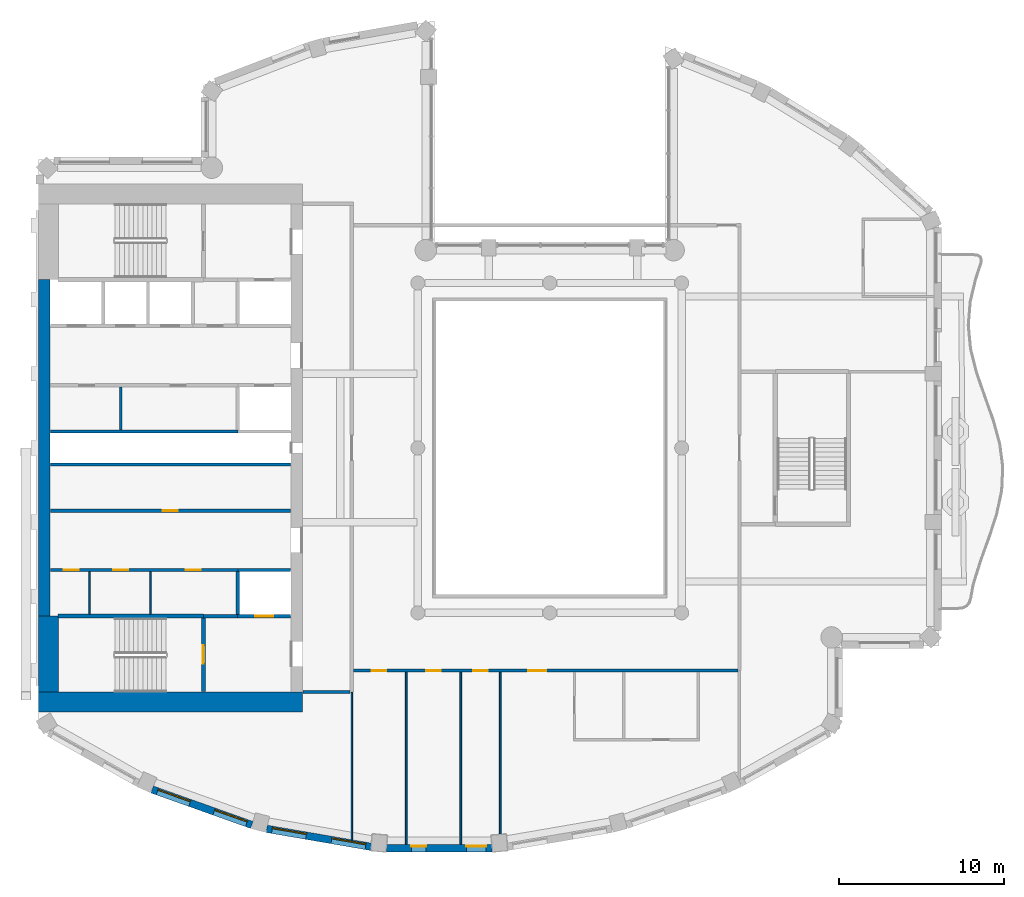
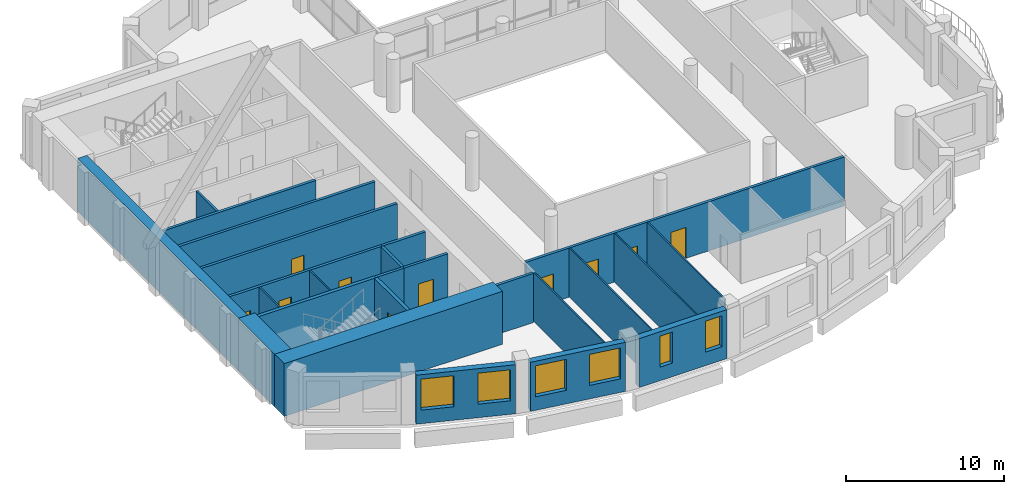
# One storey, part 4 of 15: 25 walls, 10 doors, 6 windows, 16 openings.
"""IFC4 building model written with IfcOpenShell, lengths in metres."""

from ifc_helpers import new_model, si_unit, direction, frame, frame_2d, origin, place, context, subcontext, project, spatial, rectangle, extrude, material, layer, layer_set, type_object, element, fill, save


model = new_model("IFC4")

# Units and contexts
model_context = context("Model", 3, precision=1e-05, world=origin(), true_north=direction((0.0, 1.0)))
body_context = subcontext(model_context, "Body", "Model", "MODEL_VIEW")
ifc_project = project(units=[si_unit("LENGTHUNIT", "METRE"), si_unit("AREAUNIT", "SQUARE_METRE"), si_unit("VOLUMEUNIT", "CUBIC_METRE"), si_unit("PLANEANGLEUNIT", "RADIAN"), si_unit("MASSUNIT", "GRAM", prefix="KILO")], contexts=[model_context])

# Site, building, storey
site_placement = place(None, origin())
site = spatial("IfcSite", under=ifc_project, at=site_placement, CompositionType="ELEMENT")
building_placement = place(site_placement, origin())
building = spatial("IfcBuilding", under=site, at=building_placement, Name="Cypress Arch Tower", CompositionType="ELEMENT")
storey_placement = place(building_placement, frame((0.0, 0.0, 259.800048828125)))
storey = spatial("IfcBuildingStorey", under=building, at=storey_placement, Name="L58", CompositionType="ELEMENT", Elevation=259.800048828125)

# Wall, openings, windows
ifc_material_1 = material(Name="Brick (red buff blend)", Category="masonry")
ifc_layer_1 = layer(ifc_material_1, 0.449951171875)
ifc_layer_set_1 = layer_set([ifc_layer_1], Name="Brick pier and spandrel wall BW450")
wall_type_1 = type_object("IfcWallType", Name="Brick pier and spandrel wall BW450", PredefinedType="SOLIDWALL", material=ifc_layer_set_1)
wall_1_placement = place(storey_placement, frame((-23.10498046875, -20.70947265625, 0.0), z_axis=(0.0, 0.0, 1.0), x_axis=(0.942104058931, -0.335320655711, 0.0)))
wall_1 = element("IfcWall", 1, at=wall_1_placement, inside=storey, type_object=wall_type_1, Name="Brick wall L58 C09.0", PredefinedType="SOLIDWALL", context=body_context, shape_type="SweptSolid", body=[
    extrude(rectangle(XDim=6.411376953125, YDim=0.449951171875, at=frame_2d((3.20556640625, 0.0))), origin(), (0.0, 0.0, 1.0), 3.800048828125),
])
opening_1_placement = place(wall_1_placement, frame((0.3271484375, 0.0, 1.050048828125)))
opening_1 = element("IfcOpeningElement", 2, at=opening_1_placement, cuts=wall_1, Name="Opening W210O", PredefinedType="OPENING", context=body_context, shape_type="SweptSolid", body=[
    extrude(rectangle(XDim=2.10009765625, YDim=2.39990234375, at=frame_2d((1.050048828125, 1.199951171875))), frame((0.0, 0.23486328125, 0.0), z_axis=(0.0, -1.0, 0.0), x_axis=(1.0, 0.0, 0.0)), (0.0, 0.0, 1.0), 0.469970703125),
])
opening_2_placement = place(wall_1_placement, frame((3.984619140625, 0.0, 1.050048828125)))
opening_2 = element("IfcOpeningElement", 3, at=opening_2_placement, cuts=wall_1, Name="Opening W210O", PredefinedType="OPENING", context=body_context, shape_type="SweptSolid", body=[
    extrude(rectangle(XDim=2.10009765625, YDim=2.39990234375, at=frame_2d((1.050048828125, 1.199951171875))), frame((0.0, 0.23486328125, 0.0), z_axis=(0.0, -1.0, 0.0), x_axis=(1.0, 0.0, 0.0)), (0.0, 0.0, 1.0), 0.469970703125),
])
ifc_material_2 = material(Name="Anodised aluminium, bronze finish, clear low-emissivity double glazing", Category="aluminium")
window_type_1 = type_object("IfcWindowType", Name="Window Office 2100x2400", PartitioningType="SINGLE_PANEL", PredefinedType="WINDOW", material=ifc_material_2)
window_1_placement = place(opening_1_placement, origin())
window_1 = element("IfcWindow", 4, at=window_1_placement, inside=storey, type_object=window_type_1, Name="Window L58 C09.0.1", OverallHeight=2.39990234375, OverallWidth=2.10009765625, PartitioningType="SINGLE_PANEL", PredefinedType="WINDOW", context=body_context, shape_type="SweptSolid", body=[
    extrude(rectangle(XDim=2.10009765625, YDim=2.39990234375, at=frame_2d((1.050048828125, 1.199951171875))), frame((0.0, 0.135009765625, 0.0), z_axis=(0.0, -1.0, 0.0), x_axis=(1.0, 0.0, 0.0)), (0.0, 0.0, 1.0), 0.06005859375),
])
fill(opening_1, window_1)
window_2_placement = place(opening_2_placement, origin())
window_2 = element("IfcWindow", 5, at=window_2_placement, inside=storey, type_object=window_type_1, Name="Window L58 C09.0.2", OverallHeight=2.39990234375, OverallWidth=2.10009765625, PartitioningType="SINGLE_PANEL", PredefinedType="WINDOW", context=body_context, shape_type="SweptSolid", body=[
    extrude(rectangle(XDim=2.10009765625, YDim=2.39990234375, at=frame_2d((1.050048828125, 1.199951171875))), frame((0.0, 0.135009765625, 0.0), z_axis=(0.0, -1.0, 0.0), x_axis=(1.0, 0.0, 0.0)), (0.0, 0.0, 1.0), 0.06005859375),
])
fill(opening_2, window_2)

wall_2_placement = place(storey_placement, frame((-16.15673828125, -23.09716796875, 0.0), z_axis=(0.0, 0.0, 1.0), x_axis=(0.985502073964, -0.169663379113, 0.0)))
wall_2 = element("IfcWall", 6, at=wall_2_placement, inside=storey, type_object=wall_type_1, Name="Brick wall L58 C10.0", PredefinedType="SOLIDWALL", context=body_context, shape_type="SweptSolid", body=[
    extrude(rectangle(XDim=6.412109375, YDim=0.449951171875, at=frame_2d((3.2060546875, 0.0))), origin(), (0.0, 0.0, 1.0), 3.800048828125),
])
opening_3_placement = place(wall_2_placement, frame((0.3271484375, 0.0, 1.050048828125)))
opening_3 = element("IfcOpeningElement", 7, at=opening_3_placement, cuts=wall_2, Name="Opening W210O", PredefinedType="OPENING", context=body_context, shape_type="SweptSolid", body=[
    extrude(rectangle(XDim=2.10009765625, YDim=2.39990234375, at=frame_2d((1.050048828125, 1.199951171875))), frame((0.0, 0.23486328125, 0.0), z_axis=(0.0, -1.0, 0.0), x_axis=(1.0, 0.0, 0.0)), (0.0, 0.0, 1.0), 0.469970703125),
])
opening_4_placement = place(wall_2_placement, frame((3.98486328125, 0.0, 1.050048828125)))
opening_4 = element("IfcOpeningElement", 8, at=opening_4_placement, cuts=wall_2, Name="Opening W210O", PredefinedType="OPENING", context=body_context, shape_type="SweptSolid", body=[
    extrude(rectangle(XDim=2.10009765625, YDim=2.39990234375, at=frame_2d((1.050048828125, 1.199951171875))), frame((0.0, 0.23486328125, 0.0), z_axis=(0.0, -1.0, 0.0), x_axis=(1.0, 0.0, 0.0)), (0.0, 0.0, 1.0), 0.469970703125),
])
window_3_placement = place(opening_3_placement, origin())
window_3 = element("IfcWindow", 9, at=window_3_placement, inside=storey, type_object=window_type_1, Name="Window L58 C10.0.1", OverallHeight=2.39990234375, OverallWidth=2.10009765625, PartitioningType="SINGLE_PANEL", PredefinedType="WINDOW", context=body_context, shape_type="SweptSolid", body=[
    extrude(rectangle(XDim=2.10009765625, YDim=2.39990234375, at=frame_2d((1.050048828125, 1.199951171875))), frame((0.0, 0.135009765625, 0.0), z_axis=(0.0, -1.0, 0.0), x_axis=(1.0, 0.0, 0.0)), (0.0, 0.0, 1.0), 0.06005859375),
])
fill(opening_3, window_3)
window_4_placement = place(opening_4_placement, origin())
window_4 = element("IfcWindow", 10, at=window_4_placement, inside=storey, type_object=window_type_1, Name="Window L58 C10.0.2", OverallHeight=2.39990234375, OverallWidth=2.10009765625, PartitioningType="SINGLE_PANEL", PredefinedType="WINDOW", context=body_context, shape_type="SweptSolid", body=[
    extrude(rectangle(XDim=2.10009765625, YDim=2.39990234375, at=frame_2d((1.050048828125, 1.199951171875))), frame((0.0, 0.135009765625, 0.0), z_axis=(0.0, -1.0, 0.0), x_axis=(1.0, 0.0, 0.0)), (0.0, 0.0, 1.0), 0.06005859375),
])
fill(opening_4, window_4)

wall_3_placement = place(storey_placement, frame((-8.90283203125, -24.264892578125, 0.0), z_axis=(0.0, 0.0, 1.0), x_axis=(1.0, 0.0, 0.0)))
wall_3 = element("IfcWall", 11, at=wall_3_placement, inside=storey, type_object=wall_type_1, Name="Brick wall L58 C11.0", PredefinedType="SOLIDWALL", context=body_context, shape_type="SweptSolid", body=[
    extrude(rectangle(XDim=6.405517578125, YDim=0.449951171875, at=frame_2d((3.20263671875, 0.0))), origin(), (0.0, 0.0, 1.0), 3.800048828125),
])
opening_5_placement = place(wall_3_placement, frame((1.51416015625, 0.0, 1.050048828125)))
opening_5 = element("IfcOpeningElement", 12, at=opening_5_placement, cuts=wall_3, Name="Opening W090O", PredefinedType="OPENING", context=body_context, shape_type="SweptSolid", body=[
    extrude(rectangle(XDim=0.89990234375, YDim=2.39990234375, at=frame_2d((0.449951171875, 1.199951171875))), frame((0.0, 0.23486328125, 0.0), z_axis=(0.0, -1.0, 0.0), x_axis=(1.0, 0.0, 0.0)), (0.0, 0.0, 1.0), 0.469970703125),
])
opening_6_placement = place(wall_3_placement, frame((4.84130859375, 0.0, 1.050048828125)))
opening_6 = element("IfcOpeningElement", 13, at=opening_6_placement, cuts=wall_3, Name="Opening W120O", PredefinedType="OPENING", context=body_context, shape_type="SweptSolid", body=[
    extrude(rectangle(XDim=1.199951171875, YDim=2.39990234375, at=frame_2d((0.60009765625, 1.199951171875))), frame((0.0, 0.23486328125, 0.0), z_axis=(0.0, -1.0, 0.0), x_axis=(1.0, 0.0, 0.0)), (0.0, 0.0, 1.0), 0.469970703125),
])
ifc_material_3 = material(Name="Anodised aluminium, bronze finish, clear low-emissivity double glazing", Category="aluminium")
window_type_2 = type_object("IfcWindowType", Name="Window Office 1200x2400", PartitioningType="SINGLE_PANEL", PredefinedType="WINDOW", material=ifc_material_3)
window_5_placement = place(opening_6_placement, origin())
window_5 = element("IfcWindow", 14, at=window_5_placement, inside=storey, type_object=window_type_2, Name="Window L58 C11.0.2", OverallHeight=2.39990234375, OverallWidth=1.199951171875, PartitioningType="SINGLE_PANEL", PredefinedType="WINDOW", context=body_context, shape_type="SweptSolid", body=[
    extrude(rectangle(XDim=1.199951171875, YDim=2.39990234375, at=frame_2d((0.60009765625, 1.199951171875))), frame((0.0, 0.135009765625, 0.0), z_axis=(0.0, -1.0, 0.0), x_axis=(1.0, 0.0, 0.0)), (0.0, 0.0, 1.0), 0.06005859375),
])
fill(opening_6, window_5)
ifc_material_4 = material(Name="Anodised aluminium, bronze finish, clear low-emissivity double glazing", Category="aluminium")
window_type_3 = type_object("IfcWindowType", Name="Window Office 900x2400", PartitioningType="SINGLE_PANEL", PredefinedType="WINDOW", material=ifc_material_4)
window_6_placement = place(opening_5_placement, origin())
window_6 = element("IfcWindow", 15, at=window_6_placement, inside=storey, type_object=window_type_3, Name="Window L58 C11.0.1", OverallHeight=2.39990234375, OverallWidth=0.89990234375, PartitioningType="SINGLE_PANEL", PredefinedType="WINDOW", context=body_context, shape_type="SweptSolid", body=[
    extrude(rectangle(XDim=0.89990234375, YDim=2.39990234375, at=frame_2d((0.449951171875, 1.199951171875))), frame((0.0, 0.135009765625, 0.0), z_axis=(0.0, -1.0, 0.0), x_axis=(1.0, 0.0, 0.0)), (0.0, 0.0, 1.0), 0.06005859375),
])
fill(opening_5, window_6)

# Walls
ifc_material_5 = material(Name="Concrete C60/75", Category="concrete")
ifc_layer_2 = layer(ifc_material_5, 1.199951171875)
ifc_layer_set_2 = layer_set([ifc_layer_2], Name="Core wall CW1200 C60/75")
wall_type_2 = type_object("IfcWallType", Name="Core wall CW1200 C60/75", PredefinedType="SHEAR", material=ifc_layer_set_2)
wall_4_placement = place(storey_placement, frame((-30.0, -15.39990234375, 0.0), z_axis=(0.0, 0.0, 1.0), x_axis=(1.0, 0.0, 0.0)))
element("IfcWall", 16, at=wall_4_placement, inside=storey, type_object=wall_type_2, Name="Core wall", PredefinedType="SHEAR", context=body_context, shape_type="SweptSolid", body=[
    extrude(rectangle(XDim=16.0, YDim=1.199951171875, at=frame_2d((8.0, 0.0))), origin(), (0.0, 0.0, 1.0), 4.099853515625),
])
wall_5_placement = place(storey_placement, frame((-29.39990234375, -14.800048828125, 0.0), z_axis=(0.0, 0.0, 1.0), x_axis=(0.0, 1.0, 0.0)))
element("IfcWall", 17, at=wall_5_placement, inside=storey, type_object=wall_type_2, Name="Core wall", PredefinedType="SHEAR", context=body_context, shape_type="SweptSolid", body=[
    extrude(rectangle(XDim=4.60009765625, YDim=1.199951171875, at=frame_2d((2.300048828125, 0.0))), origin(), (0.0, 0.0, 1.0), 4.099853515625),
])
ifc_material_6 = material(Name="Concrete C60/75", Category="concrete")
ifc_layer_3 = layer(ifc_material_6, 0.699951171875)
ifc_layer_set_3 = layer_set([ifc_layer_3], Name="Core wall CW700 C60/75")
wall_type_3 = type_object("IfcWallType", Name="Core wall CW700 C60/75", PredefinedType="SHEAR", material=ifc_layer_set_3)
wall_6_placement = place(storey_placement, frame((-29.64990234375, -10.199951171875, 0.0), z_axis=(0.0, 0.0, 1.0), x_axis=(0.0, 1.0, 0.0)))
element("IfcWall", 18, at=wall_6_placement, inside=storey, type_object=wall_type_3, Name="Core wall", PredefinedType="SHEAR", context=body_context, shape_type="SweptSolid", body=[
    extrude(rectangle(XDim=20.39990234375, YDim=0.699951171875, at=frame_2d((10.199951171875, 0.0))), origin(), (0.0, 0.0, 1.0), 4.099853515625),
])

# Wall, openings, doors
ifc_material_7 = material(Name="Concrete blockwork, plastered, rated", Category="masonry")
ifc_layer_4 = layer(ifc_material_7, 0.199951171875)
ifc_layer_set_4 = layer_set([ifc_layer_4], Name="Corridor wall FW200")
wall_type_4 = type_object("IfcWallType", Name="Corridor wall FW200", PredefinedType="PARTITIONING", material=ifc_layer_set_4)
wall_7_placement = place(storey_placement, frame((-29.27001953125, -7.39990234375, 0.0), z_axis=(0.0, 0.0, 1.0), x_axis=(1.0, 0.0, 0.0)))
wall_7 = element("IfcWall", 19, at=wall_7_placement, inside=storey, type_object=wall_type_4, Name="Corridor wall", PredefinedType="PARTITIONING", context=body_context, shape_type="SweptSolid", body=[
    extrude(rectangle(XDim=11.3701171875, YDim=0.199951171875, at=frame_2d((5.68505859375, 0.0))), origin(), (0.0, 0.0, 1.0), 3.800048828125),
])
opening_7_placement = place(wall_7_placement, frame((0.800048828125, 0.0, 0.0)))
opening_7 = element("IfcOpeningElement", 20, at=opening_7_placement, cuts=wall_7, Name="Opening D05", PredefinedType="OPENING", context=body_context, shape_type="SweptSolid", body=[
    extrude(rectangle(XDim=0.89990234375, YDim=2.199951171875, at=frame_2d((0.449951171875, 1.10009765625))), frame((0.0, 0.10986328125, 0.0), z_axis=(0.0, -1.0, 0.0), x_axis=(1.0, 0.0, 0.0)), (0.0, 0.0, 1.0), 0.219970703125),
])
opening_8_placement = place(wall_7_placement, frame((3.800048828125, 0.0, 0.0)))
opening_8 = element("IfcOpeningElement", 21, at=opening_8_placement, cuts=wall_7, Name="Opening D05", PredefinedType="OPENING", context=body_context, shape_type="SweptSolid", body=[
    extrude(rectangle(XDim=0.89990234375, YDim=2.199951171875, at=frame_2d((0.449951171875, 1.10009765625))), frame((0.0, 0.10986328125, 0.0), z_axis=(0.0, -1.0, 0.0), x_axis=(1.0, 0.0, 0.0)), (0.0, 0.0, 1.0), 0.219970703125),
])
opening_9_placement = place(wall_7_placement, frame((8.199951171875, 0.0, 0.0)))
opening_9 = element("IfcOpeningElement", 22, at=opening_9_placement, cuts=wall_7, Name="Opening D05", PredefinedType="OPENING", context=body_context, shape_type="SweptSolid", body=[
    extrude(rectangle(XDim=0.89990234375, YDim=2.199951171875, at=frame_2d((0.449951171875, 1.10009765625))), frame((0.0, 0.10986328125, 0.0), z_axis=(0.0, -1.0, 0.0), x_axis=(1.0, 0.0, 0.0)), (0.0, 0.0, 1.0), 0.219970703125),
])
ifc_material_8 = material(Name="Timber flush door", Category="wood")
door_type_1 = type_object("IfcDoorType", Name="Service door D05 900x2200", OperationType="SINGLE_SWING_LEFT", PredefinedType="DOOR", material=ifc_material_8)
door_1_placement = place(opening_7_placement, origin())
door_1 = element("IfcDoor", 23, at=door_1_placement, inside=storey, type_object=door_type_1, Name="Service door", OperationType="SINGLE_SWING_LEFT", OverallHeight=2.199951171875, OverallWidth=0.89990234375, PredefinedType="DOOR", context=body_context, shape_type="SweptSolid", body=[
    extrude(rectangle(XDim=0.89990234375, YDim=2.199951171875, at=frame_2d((0.449951171875, 1.10009765625))), frame((0.0, 0.02490234375, 0.0), z_axis=(0.0, -1.0, 0.0), x_axis=(1.0, 0.0, 0.0)), (0.0, 0.0, 1.0), 0.050048828125),
])
fill(opening_7, door_1)
door_2_placement = place(opening_8_placement, origin())
door_2 = element("IfcDoor", 24, at=door_2_placement, inside=storey, type_object=door_type_1, Name="Service door", OperationType="SINGLE_SWING_LEFT", OverallHeight=2.199951171875, OverallWidth=0.89990234375, PredefinedType="DOOR", context=body_context, shape_type="SweptSolid", body=[
    extrude(rectangle(XDim=0.89990234375, YDim=2.199951171875, at=frame_2d((0.449951171875, 1.10009765625))), frame((0.0, 0.02490234375, 0.0), z_axis=(0.0, -1.0, 0.0), x_axis=(1.0, 0.0, 0.0)), (0.0, 0.0, 1.0), 0.050048828125),
])
fill(opening_8, door_2)
door_3_placement = place(opening_9_placement, origin())
door_3 = element("IfcDoor", 25, at=door_3_placement, inside=storey, type_object=door_type_1, Name="Service door", OperationType="SINGLE_SWING_RIGHT", OverallHeight=2.199951171875, OverallWidth=0.89990234375, PredefinedType="DOOR", context=body_context, shape_type="SweptSolid", body=[
    extrude(rectangle(XDim=0.89990234375, YDim=2.199951171875, at=frame_2d((0.449951171875, 1.10009765625))), frame((0.0, 0.02490234375, 0.0), z_axis=(0.0, -1.0, 0.0), x_axis=(1.0, 0.0, 0.0)), (0.0, 0.0, 1.0), 0.050048828125),
])
fill(opening_9, door_3)

# Wall, opening, door
wall_8_placement = place(storey_placement, frame((-29.27001953125, -3.800048828125, 0.0), z_axis=(0.0, 0.0, 1.0), x_axis=(1.0, 0.0, 0.0)))
wall_8 = element("IfcWall", 26, at=wall_8_placement, inside=storey, type_object=wall_type_4, Name="Corridor wall", PredefinedType="PARTITIONING", context=body_context, shape_type="SweptSolid", body=[
    extrude(rectangle(XDim=14.5400390625, YDim=0.199951171875, at=frame_2d((7.27001953125, 0.0))), origin(), (0.0, 0.0, 1.0), 3.800048828125),
])
opening_10_placement = place(wall_8_placement, frame((6.800048828125, 0.0, 0.0)))
opening_10 = element("IfcOpeningElement", 27, at=opening_10_placement, cuts=wall_8, Name="Opening D05", PredefinedType="OPENING", context=body_context, shape_type="SweptSolid", body=[
    extrude(rectangle(XDim=0.89990234375, YDim=2.199951171875, at=frame_2d((0.449951171875, 1.10009765625))), frame((0.0, 0.10986328125, 0.0), z_axis=(0.0, -1.0, 0.0), x_axis=(1.0, 0.0, 0.0)), (0.0, 0.0, 1.0), 0.219970703125),
])
door_4_placement = place(opening_10_placement, origin())
door_4 = element("IfcDoor", 28, at=door_4_placement, inside=storey, type_object=door_type_1, Name="Service door", OperationType="SINGLE_SWING_LEFT", OverallHeight=2.199951171875, OverallWidth=0.89990234375, PredefinedType="DOOR", context=body_context, shape_type="SweptSolid", body=[
    extrude(rectangle(XDim=0.89990234375, YDim=2.199951171875, at=frame_2d((0.449951171875, 1.10009765625))), frame((0.0, 0.02490234375, 0.0), z_axis=(0.0, -1.0, 0.0), x_axis=(1.0, 0.0, 0.0)), (0.0, 0.0, 1.0), 0.050048828125),
])
fill(opening_10, door_4)

# Walls
wall_9_placement = place(storey_placement, frame((-20.0, -10.199951171875, 0.0), z_axis=(0.0, 0.0, 1.0), x_axis=(1.0, 0.0, 0.0)))
element("IfcWall", 29, at=wall_9_placement, inside=storey, type_object=wall_type_4, Name="Corridor wall", PredefinedType="PARTITIONING", context=body_context, shape_type="SweptSolid", body=[
    extrude(rectangle(XDim=2.080078125, YDim=0.199951171875, at=frame_2d((1.0400390625, 0.0))), origin(), (0.0, 0.0, 1.0), 3.800048828125),
])
wall_10_placement = place(storey_placement, frame((-13.969970703125, -14.800048828125, 0.0), z_axis=(0.0, 0.0, 1.0), x_axis=(1.0, 0.0, 0.0)))
element("IfcWall", 30, at=wall_10_placement, inside=storey, type_object=wall_type_4, Name="Corridor wall", PredefinedType="PARTITIONING", context=body_context, shape_type="SweptSolid", body=[
    extrude(rectangle(XDim=2.869873046875, YDim=0.199951171875, at=frame_2d((1.43505859375, 0.0))), origin(), (0.0, 0.0, 1.0), 3.800048828125),
])

# Wall, openings, doors
wall_11_placement = place(storey_placement, frame((-10.89990234375, -13.5, 0.0), z_axis=(0.0, 0.0, 1.0), x_axis=(1.0, 0.0, 0.0)))
wall_11 = element("IfcWall", 31, at=wall_11_placement, inside=storey, type_object=wall_type_4, Name="Corridor wall", PredefinedType="PARTITIONING", context=body_context, shape_type="SweptSolid", body=[
    extrude(rectangle(XDim=23.2998046875, YDim=0.199951171875, at=frame_2d((11.64990234375, 0.0))), origin(), (0.0, 0.0, 1.0), 3.800048828125),
])
opening_11_placement = place(wall_11_placement, frame((1.10009765625, 0.0, 0.0)))
opening_11 = element("IfcOpeningElement", 32, at=opening_11_placement, cuts=wall_11, Name="Opening D03", PredefinedType="OPENING", context=body_context, shape_type="SweptSolid", body=[
    extrude(rectangle(XDim=0.89990234375, YDim=2.199951171875, at=frame_2d((0.449951171875, 1.10009765625))), frame((0.0, 0.10986328125, 0.0), z_axis=(0.0, -1.0, 0.0), x_axis=(1.0, 0.0, 0.0)), (0.0, 0.0, 1.0), 0.219970703125),
])
opening_12_placement = place(wall_11_placement, frame((4.39990234375, 0.0, 0.0)))
opening_12 = element("IfcOpeningElement", 33, at=opening_12_placement, cuts=wall_11, Name="Opening D03", PredefinedType="OPENING", context=body_context, shape_type="SweptSolid", body=[
    extrude(rectangle(XDim=0.89990234375, YDim=2.199951171875, at=frame_2d((0.449951171875, 1.10009765625))), frame((0.0, 0.10986328125, 0.0), z_axis=(0.0, -1.0, 0.0), x_axis=(1.0, 0.0, 0.0)), (0.0, 0.0, 1.0), 0.219970703125),
])
opening_13_placement = place(wall_11_placement, frame((7.25, 0.0, 0.0)))
opening_13 = element("IfcOpeningElement", 34, at=opening_13_placement, cuts=wall_11, Name="Opening D03", PredefinedType="OPENING", context=body_context, shape_type="SweptSolid", body=[
    extrude(rectangle(XDim=0.89990234375, YDim=2.199951171875, at=frame_2d((0.449951171875, 1.10009765625))), frame((0.0, 0.10986328125, 0.0), z_axis=(0.0, -1.0, 0.0), x_axis=(1.0, 0.0, 0.0)), (0.0, 0.0, 1.0), 0.219970703125),
])
opening_14_placement = place(wall_11_placement, frame((10.60009765625, 0.0, 0.0)))
opening_14 = element("IfcOpeningElement", 35, at=opening_14_placement, cuts=wall_11, Name="Opening D01", PredefinedType="OPENING", context=body_context, shape_type="SweptSolid", body=[
    extrude(rectangle(XDim=1.10009765625, YDim=2.39990234375, at=frame_2d((0.550048828125, 1.199951171875))), frame((0.0, 0.10986328125, 0.0), z_axis=(0.0, -1.0, 0.0), x_axis=(1.0, 0.0, 0.0)), (0.0, 0.0, 1.0), 0.219970703125),
])
ifc_material_9 = material(Name="Timber flush door, moisture resistant", Category="wood")
door_type_2 = type_object("IfcDoorType", Name="Bathroom door D03 900x2200", OperationType="SINGLE_SWING_LEFT", PredefinedType="DOOR", material=ifc_material_9)
door_5_placement = place(opening_11_placement, origin())
door_5 = element("IfcDoor", 36, at=door_5_placement, inside=storey, type_object=door_type_2, Name="Bathroom door", OperationType="SINGLE_SWING_RIGHT", OverallHeight=2.199951171875, OverallWidth=0.89990234375, PredefinedType="DOOR", context=body_context, shape_type="SweptSolid", body=[
    extrude(rectangle(XDim=0.89990234375, YDim=2.199951171875, at=frame_2d((0.449951171875, 1.10009765625))), frame((0.0, 0.02490234375, 0.0), z_axis=(0.0, -1.0, 0.0), x_axis=(1.0, 0.0, 0.0)), (0.0, 0.0, 1.0), 0.050048828125),
])
fill(opening_11, door_5)
door_6_placement = place(opening_12_placement, origin())
door_6 = element("IfcDoor", 37, at=door_6_placement, inside=storey, type_object=door_type_2, Name="Bathroom door", OperationType="SINGLE_SWING_RIGHT", OverallHeight=2.199951171875, OverallWidth=0.89990234375, PredefinedType="DOOR", context=body_context, shape_type="SweptSolid", body=[
    extrude(rectangle(XDim=0.89990234375, YDim=2.199951171875, at=frame_2d((0.449951171875, 1.10009765625))), frame((0.0, 0.02490234375, 0.0), z_axis=(0.0, -1.0, 0.0), x_axis=(1.0, 0.0, 0.0)), (0.0, 0.0, 1.0), 0.050048828125),
])
fill(opening_12, door_6)
door_7_placement = place(opening_13_placement, origin())
door_7 = element("IfcDoor", 38, at=door_7_placement, inside=storey, type_object=door_type_2, Name="Bathroom door", OperationType="SINGLE_SWING_RIGHT", OverallHeight=2.199951171875, OverallWidth=0.89990234375, PredefinedType="DOOR", context=body_context, shape_type="SweptSolid", body=[
    extrude(rectangle(XDim=0.89990234375, YDim=2.199951171875, at=frame_2d((0.449951171875, 1.10009765625))), frame((0.0, 0.02490234375, 0.0), z_axis=(0.0, -1.0, 0.0), x_axis=(1.0, 0.0, 0.0)), (0.0, 0.0, 1.0), 0.050048828125),
])
fill(opening_13, door_7)
ifc_material_10 = material(Name="Timber flush door, fire resisting, self-closing", Category="wood")
door_type_3 = type_object("IfcDoorType", Name="Unit entrance door D01 1100x2400", OperationType="SINGLE_SWING_LEFT", PredefinedType="DOOR", material=ifc_material_10)
door_8_placement = place(opening_14_placement, origin())
door_8 = element("IfcDoor", 39, at=door_8_placement, inside=storey, type_object=door_type_3, Name="Unit entrance door", OperationType="SINGLE_SWING_LEFT", OverallHeight=2.39990234375, OverallWidth=1.10009765625, PredefinedType="DOOR", context=body_context, shape_type="SweptSolid", body=[
    extrude(rectangle(XDim=1.10009765625, YDim=2.39990234375, at=frame_2d((0.550048828125, 1.199951171875))), frame((0.0, 0.02490234375, 0.0), z_axis=(0.0, -1.0, 0.0), x_axis=(1.0, 0.0, 0.0)), (0.0, 0.0, 1.0), 0.050048828125),
])
fill(opening_14, door_8)

# Walls
ifc_material_11 = material(Name="Blockwork, plastered both sides", Category="masonry")
ifc_layer_5 = layer(ifc_material_11, 0.14990234375)
ifc_layer_set_5 = layer_set([ifc_layer_5], Name="Partition PW150")
wall_type_5 = type_object("IfcWallType", Name="Partition PW150", PredefinedType="PARTITIONING", material=ifc_layer_set_5)
wall_12_placement = place(storey_placement, frame((-25.0, 1.10009765625, 0.0), z_axis=(0.0, 0.0, 1.0), x_axis=(0.0, 1.0, 0.0)))
element("IfcWall", 40, at=wall_12_placement, inside=storey, type_object=wall_type_5, Name="Partition", PredefinedType="PARTITIONING", context=body_context, shape_type="SweptSolid", body=[
    extrude(rectangle(XDim=2.599853515625, YDim=0.14990234375, at=frame_2d((1.2998046875, 0.0))), origin(), (0.0, 0.0, 1.0), 3.800048828125),
])
ifc_material_12 = material(Name="Reinforced blockwork, plastered, rated", Category="masonry")
ifc_layer_6 = layer(ifc_material_12, 0.199951171875)
ifc_layer_set_6 = layer_set([ifc_layer_6], Name="Plant and riser wall PL200")
wall_type_6 = type_object("IfcWallType", Name="Plant and riser wall PL200", PredefinedType="PARTITIONING", material=ifc_layer_set_6)
wall_13_placement = place(storey_placement, frame((-29.27001953125, -1.0, 0.0), z_axis=(0.0, 0.0, 1.0), x_axis=(1.0, 0.0, 0.0)))
element("IfcWall", 41, at=wall_13_placement, inside=storey, type_object=wall_type_6, Name="Plant and riser wall", PredefinedType="PARTITIONING", context=body_context, shape_type="SweptSolid", body=[
    extrude(rectangle(XDim=14.5400390625, YDim=0.199951171875, at=frame_2d((7.27001953125, 0.0))), origin(), (0.0, 0.0, 1.0), 3.800048828125),
])
wall_14_placement = place(storey_placement, frame((-29.27001953125, 1.0, 0.0), z_axis=(0.0, 0.0, 1.0), x_axis=(1.0, 0.0, 0.0)))
element("IfcWall", 42, at=wall_14_placement, inside=storey, type_object=wall_type_6, Name="Plant and riser wall", PredefinedType="PARTITIONING", context=body_context, shape_type="SweptSolid", body=[
    extrude(rectangle(XDim=11.3701171875, YDim=0.199951171875, at=frame_2d((5.68505859375, 0.0))), origin(), (0.0, 0.0, 1.0), 3.800048828125),
])
ifc_material_13 = material(Name="Concrete C50/60", Category="concrete")
ifc_layer_7 = layer(ifc_material_13, 0.199951171875)
ifc_layer_set_7 = layer_set([ifc_layer_7], Name="Shaft wall SH200")
wall_type_7 = type_object("IfcWallType", Name="Shaft wall SH200", PredefinedType="SHEAR", material=ifc_layer_set_7)
wall_15_placement = place(storey_placement, frame((-17.919921875, -10.10009765625, 0.0), z_axis=(0.0, 0.0, 1.0), x_axis=(0.0, 1.0, 0.0)))
element("IfcWall", 43, at=wall_15_placement, inside=storey, type_object=wall_type_7, Name="Shaft wall", PredefinedType="SHEAR", context=body_context, shape_type="SweptSolid", body=[
    extrude(rectangle(XDim=2.60009765625, YDim=0.199951171875, at=frame_2d((1.300048828125, 0.0))), origin(), (0.0, 0.0, 1.0), 3.800048828125),
])

# Wall, opening, door
wall_16_placement = place(storey_placement, frame((-17.919921875, -10.199951171875, 0.0), z_axis=(0.0, 0.0, 1.0), x_axis=(1.0, 0.0, 0.0)))
wall_16 = element("IfcWall", 44, at=wall_16_placement, inside=storey, type_object=wall_type_7, Name="Shaft wall", PredefinedType="SHEAR", context=body_context, shape_type="SweptSolid", body=[
    extrude(rectangle(XDim=3.18994140625, YDim=0.199951171875, at=frame_2d((1.594970703125, 0.0))), origin(), (0.0, 0.0, 1.0), 3.800048828125),
])
opening_15_placement = place(wall_16_placement, frame((1.050048828125, 0.0, 0.0)))
opening_15 = element("IfcOpeningElement", 45, at=opening_15_placement, cuts=wall_16, Name="Opening LD-FL1", PredefinedType="OPENING", context=body_context, shape_type="SweptSolid", body=[
    extrude(rectangle(XDim=1.10009765625, YDim=2.199951171875, at=frame_2d((0.550048828125, 1.10009765625))), frame((0.0, 0.10986328125, 0.0), z_axis=(0.0, -1.0, 0.0), x_axis=(1.0, 0.0, 0.0)), (0.0, 0.0, 1.0), 0.219970703125),
])
ifc_material_14 = material(Name="Stainless steel centre-opening landing door, rated", Category="steel")
door_type_4 = type_object("IfcDoorType", Name="Lift landing door LD 1100x2200", OperationType="DOUBLE_DOOR_SLIDING", PredefinedType="DOOR", material=ifc_material_14)
door_9_placement = place(opening_15_placement, origin())
door_9 = element("IfcDoor", 46, at=door_9_placement, inside=storey, type_object=door_type_4, Name="Lift landing doors FL1", OperationType="DOUBLE_DOOR_SLIDING", OverallHeight=2.199951171875, OverallWidth=1.10009765625, PredefinedType="DOOR", context=body_context, shape_type="SweptSolid", body=[
    extrude(rectangle(XDim=1.10009765625, YDim=2.199951171875, at=frame_2d((0.550048828125, 1.10009765625))), frame((0.0, 0.02490234375, 0.0), z_axis=(0.0, -1.0, 0.0), x_axis=(1.0, 0.0, 0.0)), (0.0, 0.0, 1.0), 0.050048828125),
])
fill(opening_15, door_9)

# Walls
wall_17_placement = place(storey_placement, frame((-17.89990234375, -7.39990234375, 0.0), z_axis=(0.0, 0.0, 1.0), x_axis=(1.0, 0.0, 0.0)))
element("IfcWall", 47, at=wall_17_placement, inside=storey, type_object=wall_type_7, Name="Shaft wall", PredefinedType="SHEAR", context=body_context, shape_type="SweptSolid", body=[
    extrude(rectangle(XDim=3.169921875, YDim=0.199951171875, at=frame_2d((1.5849609375, 0.0))), origin(), (0.0, 0.0, 1.0), 3.800048828125),
])
ifc_material_15 = material(Name="Concrete C50/60", Category="concrete")
ifc_layer_8 = layer(ifc_material_15, 0.25)
ifc_layer_set_8 = layer_set([ifc_layer_8], Name="Stair enclosure wall SW250")
wall_type_8 = type_object("IfcWallType", Name="Stair enclosure wall SW250", PredefinedType="SHEAR", material=ifc_layer_set_8)
wall_18_placement = place(storey_placement, frame((-28.81005859375, -10.199951171875, 0.0), z_axis=(0.0, 0.0, 1.0), x_axis=(1.0, 0.0, 0.0)))
element("IfcWall", 48, at=wall_18_placement, inside=storey, type_object=wall_type_8, Name="Stair enclosure wall", PredefinedType="SHEAR", context=body_context, shape_type="SweptSolid", body=[
    extrude(rectangle(XDim=8.81005859375, YDim=0.25, at=frame_2d((4.405029296875, 0.0))), origin(), (0.0, 0.0, 1.0), 3.800048828125),
])

# Wall, opening, door
wall_19_placement = place(storey_placement, frame((-20.0, -14.77001953125, 0.0), z_axis=(0.0, 0.0, 1.0), x_axis=(0.0, 1.0, 0.0)))
wall_19 = element("IfcWall", 49, at=wall_19_placement, inside=storey, type_object=wall_type_8, Name="Stair enclosure wall", PredefinedType="SHEAR", context=body_context, shape_type="SweptSolid", body=[
    extrude(rectangle(XDim=4.445068359375, YDim=0.25, at=frame_2d((2.22265625, 0.0))), origin(), (0.0, 0.0, 1.0), 3.800048828125),
])
opening_16_placement = place(wall_19_placement, frame((1.699951171875, 0.0, 0.0)))
opening_16 = element("IfcOpeningElement", 50, at=opening_16_placement, cuts=wall_19, Name="Opening D06", PredefinedType="OPENING", context=body_context, shape_type="SweptSolid", body=[
    extrude(rectangle(XDim=1.10009765625, YDim=2.199951171875, at=frame_2d((0.550048828125, 1.10009765625))), frame((0.0, 0.135009765625, 0.0), z_axis=(0.0, -1.0, 0.0), x_axis=(1.0, 0.0, 0.0)), (0.0, 0.0, 1.0), 0.27001953125),
])
ifc_material_16 = material(Name="Steel door, fire resisting, panic bar", Category="steel")
door_type_5 = type_object("IfcDoorType", Name="Stair door D06 1100x2200", OperationType="SINGLE_SWING_LEFT", PredefinedType="DOOR", material=ifc_material_16)
door_10_placement = place(opening_16_placement, origin())
door_10 = element("IfcDoor", 51, at=door_10_placement, inside=storey, type_object=door_type_5, Name="Stair door", OperationType="SINGLE_SWING_RIGHT", OverallHeight=2.199951171875, OverallWidth=1.10009765625, PredefinedType="DOOR", context=body_context, shape_type="SweptSolid", body=[
    extrude(rectangle(XDim=1.10009765625, YDim=2.199951171875, at=frame_2d((0.550048828125, 1.10009765625))), frame((0.0, 0.02490234375, 0.0), z_axis=(0.0, -1.0, 0.0), x_axis=(1.0, 0.0, 0.0)), (0.0, 0.0, 1.0), 0.050048828125),
])
fill(opening_16, door_10)

# Walls
ifc_material_17 = material(Name="Moisture resistant board on steel studs, tiled", Category="steel")
ifc_layer_9 = layer(ifc_material_17, 0.10009765625)
ifc_layer_set_9 = layer_set([ifc_layer_9], Name="Wet wall PW100")
wall_type_9 = type_object("IfcWallType", Name="Wet wall PW100", PredefinedType="PARTITIONING", material=ifc_layer_set_9)
for number, where, z_axis, x_axis, name in (
    (52, (-26.89990234375, -10.074951171875, 0.0), (0.0, 0.0, 1.0), (0.0, 1.0, 0.0), "Wet wall"),
    (53, (-23.199951171875, -10.074951171875, 0.0), (0.0, 0.0, 1.0), (0.0, 1.0, 0.0), "Wet wall"),
):
    element("IfcWall", number, at=place(storey_placement, frame(where, z_axis=z_axis, x_axis=x_axis)), inside=storey, type_object=wall_type_9, Name=name, PredefinedType="PARTITIONING", context=body_context, shape_type="SweptSolid", body=[
        extrude(rectangle(XDim=2.574951171875, YDim=0.10009765625, at=frame_2d((1.28759765625, 0.0))), origin(), (0.0, 0.0, 1.0), 3.800048828125),
    ])
wall_20_placement = place(storey_placement, frame((-11.0, -23.756591796875, 0.0), z_axis=(0.0, 0.0, 1.0), x_axis=(0.0, 1.0, 0.0)))
element("IfcWall", 54, at=wall_20_placement, inside=storey, type_object=wall_type_9, Name="Wet wall", PredefinedType="PARTITIONING", context=body_context, shape_type="SweptSolid", body=[
    extrude(rectangle(XDim=8.9365234375, YDim=0.10009765625, at=frame_2d((4.46826171875, 0.0))), origin(), (0.0, 0.0, 1.0), 3.800048828125),
])
for number, where, z_axis, x_axis, name in (
    (55, (-7.699951171875, -24.0400390625, 0.0), (0.0, 0.0, 1.0), (0.0, 1.0, 0.0), "Wet wall"),
    (56, (-4.39990234375, -24.0400390625, 0.0), (0.0, 0.0, 1.0), (0.0, 1.0, 0.0), "Wet wall"),
):
    element("IfcWall", number, at=place(storey_placement, frame(where, z_axis=z_axis, x_axis=x_axis)), inside=storey, type_object=wall_type_9, Name=name, PredefinedType="PARTITIONING", context=body_context, shape_type="SweptSolid", body=[
        extrude(rectangle(XDim=10.43994140625, YDim=0.10009765625, at=frame_2d((5.219970703125, 0.0))), origin(), (0.0, 0.0, 1.0), 3.800048828125),
    ])
wall_21_placement = place(storey_placement, frame((-2.0, -23.447265625, 0.0), z_axis=(0.0, 0.0, 1.0), x_axis=(0.0, 1.0, 0.0)))
element("IfcWall", 57, at=wall_21_placement, inside=storey, type_object=wall_type_9, Name="Wet wall", PredefinedType="PARTITIONING", context=body_context, shape_type="SweptSolid", body=[
    extrude(rectangle(XDim=9.84716796875, YDim=0.10009765625, at=frame_2d((4.923583984375, 0.0))), origin(), (0.0, 0.0, 1.0), 3.800048828125),
])

save(model, "model.ifc")
